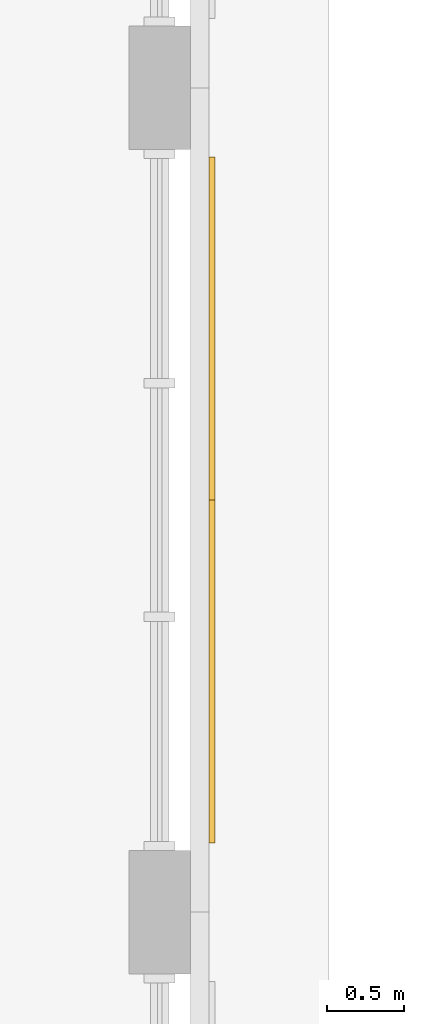
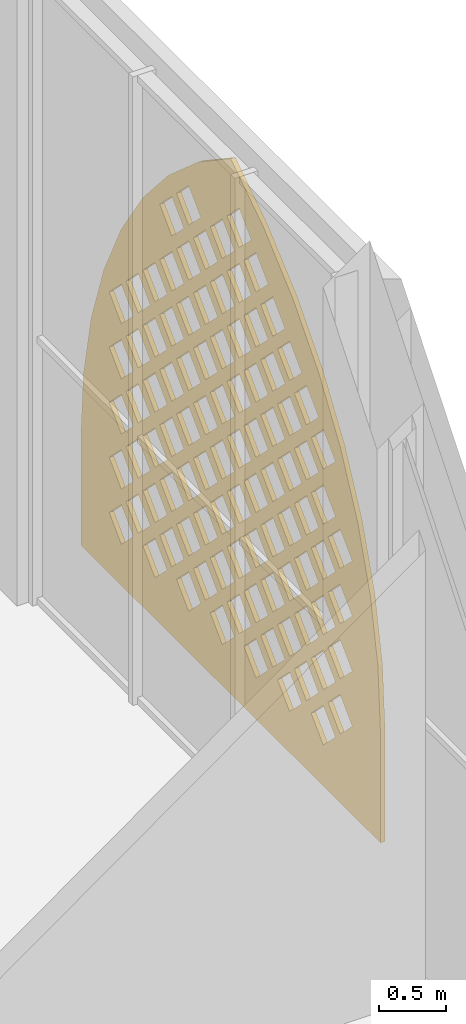
# One storey, part 45 of 74: 1 covering.
"""IFC4 building model written with IfcOpenShell, lengths in metres."""

from ifc_helpers import new_model, si_unit, direction, frame, origin, place, context, subcontext, project, spatial, polyline, outline, extrude, material, layer, layer_set, type_object, element, save


model = new_model("IFC4")

# Units and contexts
model_context = context("Model", 3, precision=1e-05, world=origin(), true_north=direction((0.0, 1.0)))
body_context = subcontext(model_context, "Body", "Model", "MODEL_VIEW")
ifc_project = project(units=[si_unit("LENGTHUNIT", "METRE"), si_unit("AREAUNIT", "SQUARE_METRE"), si_unit("VOLUMEUNIT", "CUBIC_METRE"), si_unit("PLANEANGLEUNIT", "RADIAN"), si_unit("MASSUNIT", "GRAM", prefix="KILO")], contexts=[model_context])

# Site, building, storey
site_placement = place(None, origin())
site = spatial("IfcSite", under=ifc_project, at=site_placement, CompositionType="ELEMENT")
building_placement = place(site_placement, origin())
building = spatial("IfcBuilding", under=site, at=building_placement, Name="Noorbagh Ring Tower", CompositionType="ELEMENT")
storey_placement = place(building_placement, frame((0.0, 0.0, 13.5)))
storey = spatial("IfcBuildingStorey", under=building, at=storey_placement, Name="L02", CompositionType="ELEMENT", Elevation=13.5)

# Covering
ifc_material = material(Name="Red sandstone jali", Category="masonry")
ifc_layer = layer(ifc_material, 0.0400390625)
ifc_layer_set = layer_set([ifc_layer], Name="Red sandstone jali")
covering_type = type_object("IfcCoveringType", Name="STH-JALI", PredefinedType="USERDEFINED", material=ifc_layer_set)
covering_placement = place(storey_placement, frame((-94.840087890625, 20.14990234375, 0.39990234375), z_axis=(1.0, 0.0, 0.0), x_axis=(0.0, 1.0, 0.0)))
element("IfcCovering", 1, at=covering_placement, inside=storey, type_object=covering_type, Name="Jali screen", ObjectType="SCREEN", PredefinedType="USERDEFINED", context=body_context, shape_type="SweptSolid", body=[
    extrude(outline(polyline([(0.0, 0.0), (4.4501953125, 0.0), (4.4501953125, 1.0), (4.412109375, 1.580810546875), (4.298583984375, 2.15185546875), (4.111328125, 2.702880859375), (3.85400390625, 3.22509765625), (3.530517578125, 3.708984375), (3.146728515625, 4.146728515625), (2.708984375, 4.530517578125), (2.22509765625, 4.85400390625), (1.7412109375, 4.530517578125), (1.303466796875, 4.146728515625), (0.919677734375, 3.708984375), (0.59619140625, 3.22509765625), (0.3388671875, 2.702880859375), (0.151611328125, 2.15185546875), (0.0380859375, 1.580810546875), (0.0, 1.0), (0.0, 0.0)]), holes=[polyline([(0.669921875, 0.552001953125), (0.85009765625, 0.371826171875), (1.030029296875, 0.552001953125), (0.85009765625, 0.73193359375), (0.669921875, 0.552001953125)]), polyline([(1.169921875, 0.552001953125), (1.35009765625, 0.371826171875), (1.530029296875, 0.552001953125), (1.35009765625, 0.73193359375), (1.169921875, 0.552001953125)]), polyline([(1.669921875, 0.552001953125), (1.85009765625, 0.371826171875), (2.030029296875, 0.552001953125), (1.85009765625, 0.73193359375), (1.669921875, 0.552001953125)]), polyline([(2.169921875, 0.552001953125), (2.35009765625, 0.371826171875), (2.530029296875, 0.552001953125), (2.35009765625, 0.73193359375), (2.169921875, 0.552001953125)]), polyline([(2.669921875, 0.552001953125), (2.85009765625, 0.371826171875), (3.030029296875, 0.552001953125), (2.85009765625, 0.73193359375), (2.669921875, 0.552001953125)]), polyline([(3.169921875, 0.552001953125), (3.35009765625, 0.371826171875), (3.530029296875, 0.552001953125), (3.35009765625, 0.73193359375), (3.169921875, 0.552001953125)]), polyline([(3.669921875, 0.552001953125), (3.85009765625, 0.371826171875), (4.030029296875, 0.552001953125), (3.85009765625, 0.73193359375), (3.669921875, 0.552001953125)]), polyline([(0.419921875, 0.802001953125), (0.60009765625, 0.621826171875), (0.780029296875, 0.802001953125), (0.60009765625, 0.98193359375), (0.419921875, 0.802001953125)]), polyline([(0.919921875, 0.802001953125), (1.10009765625, 0.621826171875), (1.280029296875, 0.802001953125), (1.10009765625, 0.98193359375), (0.919921875, 0.802001953125)]), polyline([(1.419921875, 0.802001953125), (1.60009765625, 0.621826171875), (1.780029296875, 0.802001953125), (1.60009765625, 0.98193359375), (1.419921875, 0.802001953125)]), polyline([(1.919921875, 0.802001953125), (2.10009765625, 0.621826171875), (2.280029296875, 0.802001953125), (2.10009765625, 0.98193359375), (1.919921875, 0.802001953125)]), polyline([(2.419921875, 0.802001953125), (2.60009765625, 0.621826171875), (2.780029296875, 0.802001953125), (2.60009765625, 0.98193359375), (2.419921875, 0.802001953125)]), polyline([(2.919921875, 0.802001953125), (3.10009765625, 0.621826171875), (3.280029296875, 0.802001953125), (3.10009765625, 0.98193359375), (2.919921875, 0.802001953125)]), polyline([(3.419921875, 0.802001953125), (3.60009765625, 0.621826171875), (3.780029296875, 0.802001953125), (3.60009765625, 0.98193359375), (3.419921875, 0.802001953125)]), polyline([(0.669921875, 1.052001953125), (0.85009765625, 0.871826171875), (1.030029296875, 1.052001953125), (0.85009765625, 1.23193359375), (0.669921875, 1.052001953125)]), polyline([(1.169921875, 1.052001953125), (1.35009765625, 0.871826171875), (1.530029296875, 1.052001953125), (1.35009765625, 1.23193359375), (1.169921875, 1.052001953125)]), polyline([(1.669921875, 1.052001953125), (1.85009765625, 0.871826171875), (2.030029296875, 1.052001953125), (1.85009765625, 1.23193359375), (1.669921875, 1.052001953125)]), polyline([(2.169921875, 1.052001953125), (2.35009765625, 0.871826171875), (2.530029296875, 1.052001953125), (2.35009765625, 1.23193359375), (2.169921875, 1.052001953125)]), polyline([(2.669921875, 1.052001953125), (2.85009765625, 0.871826171875), (3.030029296875, 1.052001953125), (2.85009765625, 1.23193359375), (2.669921875, 1.052001953125)]), polyline([(3.169921875, 1.052001953125), (3.35009765625, 0.871826171875), (3.530029296875, 1.052001953125), (3.35009765625, 1.23193359375), (3.169921875, 1.052001953125)]), polyline([(3.669921875, 1.052001953125), (3.85009765625, 0.871826171875), (4.030029296875, 1.052001953125), (3.85009765625, 1.23193359375), (3.669921875, 1.052001953125)]), polyline([(0.419921875, 1.302001953125), (0.60009765625, 1.121826171875), (0.780029296875, 1.302001953125), (0.60009765625, 1.48193359375), (0.419921875, 1.302001953125)]), polyline([(0.919921875, 1.302001953125), (1.10009765625, 1.121826171875), (1.280029296875, 1.302001953125), (1.10009765625, 1.48193359375), (0.919921875, 1.302001953125)]), polyline([(1.419921875, 1.302001953125), (1.60009765625, 1.121826171875), (1.780029296875, 1.302001953125), (1.60009765625, 1.48193359375), (1.419921875, 1.302001953125)]), polyline([(1.919921875, 1.302001953125), (2.10009765625, 1.121826171875), (2.280029296875, 1.302001953125), (2.10009765625, 1.48193359375), (1.919921875, 1.302001953125)]), polyline([(2.419921875, 1.302001953125), (2.60009765625, 1.121826171875), (2.780029296875, 1.302001953125), (2.60009765625, 1.48193359375), (2.419921875, 1.302001953125)]), polyline([(2.919921875, 1.302001953125), (3.10009765625, 1.121826171875), (3.280029296875, 1.302001953125), (3.10009765625, 1.48193359375), (2.919921875, 1.302001953125)]), polyline([(3.419921875, 1.302001953125), (3.60009765625, 1.121826171875), (3.780029296875, 1.302001953125), (3.60009765625, 1.48193359375), (3.419921875, 1.302001953125)]), polyline([(0.669921875, 1.552001953125), (0.85009765625, 1.371826171875), (1.030029296875, 1.552001953125), (0.85009765625, 1.73193359375), (0.669921875, 1.552001953125)]), polyline([(1.169921875, 1.552001953125), (1.35009765625, 1.371826171875), (1.530029296875, 1.552001953125), (1.35009765625, 1.73193359375), (1.169921875, 1.552001953125)]), polyline([(1.669921875, 1.552001953125), (1.85009765625, 1.371826171875), (2.030029296875, 1.552001953125), (1.85009765625, 1.73193359375), (1.669921875, 1.552001953125)]), polyline([(2.169921875, 1.552001953125), (2.35009765625, 1.371826171875), (2.530029296875, 1.552001953125), (2.35009765625, 1.73193359375), (2.169921875, 1.552001953125)]), polyline([(2.669921875, 1.552001953125), (2.85009765625, 1.371826171875), (3.030029296875, 1.552001953125), (2.85009765625, 1.73193359375), (2.669921875, 1.552001953125)]), polyline([(3.169921875, 1.552001953125), (3.35009765625, 1.371826171875), (3.530029296875, 1.552001953125), (3.35009765625, 1.73193359375), (3.169921875, 1.552001953125)]), polyline([(3.669921875, 1.552001953125), (3.85009765625, 1.371826171875), (4.030029296875, 1.552001953125), (3.85009765625, 1.73193359375), (3.669921875, 1.552001953125)]), polyline([(0.419921875, 1.802001953125), (0.60009765625, 1.621826171875), (0.780029296875, 1.802001953125), (0.60009765625, 1.98193359375), (0.419921875, 1.802001953125)]), polyline([(0.919921875, 1.802001953125), (1.10009765625, 1.621826171875), (1.280029296875, 1.802001953125), (1.10009765625, 1.98193359375), (0.919921875, 1.802001953125)]), polyline([(1.419921875, 1.802001953125), (1.60009765625, 1.621826171875), (1.780029296875, 1.802001953125), (1.60009765625, 1.98193359375), (1.419921875, 1.802001953125)]), polyline([(1.919921875, 1.802001953125), (2.10009765625, 1.621826171875), (2.280029296875, 1.802001953125), (2.10009765625, 1.98193359375), (1.919921875, 1.802001953125)]), polyline([(2.419921875, 1.802001953125), (2.60009765625, 1.621826171875), (2.780029296875, 1.802001953125), (2.60009765625, 1.98193359375), (2.419921875, 1.802001953125)]), polyline([(2.919921875, 1.802001953125), (3.10009765625, 1.621826171875), (3.280029296875, 1.802001953125), (3.10009765625, 1.98193359375), (2.919921875, 1.802001953125)]), polyline([(3.419921875, 1.802001953125), (3.60009765625, 1.621826171875), (3.780029296875, 1.802001953125), (3.60009765625, 1.98193359375), (3.419921875, 1.802001953125)]), polyline([(0.669921875, 2.052001953125), (0.85009765625, 1.871826171875), (1.030029296875, 2.052001953125), (0.85009765625, 2.23193359375), (0.669921875, 2.052001953125)]), polyline([(1.169921875, 2.052001953125), (1.35009765625, 1.871826171875), (1.530029296875, 2.052001953125), (1.35009765625, 2.23193359375), (1.169921875, 2.052001953125)]), polyline([(1.669921875, 2.052001953125), (1.85009765625, 1.871826171875), (2.030029296875, 2.052001953125), (1.85009765625, 2.23193359375), (1.669921875, 2.052001953125)]), polyline([(2.169921875, 2.052001953125), (2.35009765625, 1.871826171875), (2.530029296875, 2.052001953125), (2.35009765625, 2.23193359375), (2.169921875, 2.052001953125)]), polyline([(2.669921875, 2.052001953125), (2.85009765625, 1.871826171875), (3.030029296875, 2.052001953125), (2.85009765625, 2.23193359375), (2.669921875, 2.052001953125)]), polyline([(3.169921875, 2.052001953125), (3.35009765625, 1.871826171875), (3.530029296875, 2.052001953125), (3.35009765625, 2.23193359375), (3.169921875, 2.052001953125)]), polyline([(3.669921875, 2.052001953125), (3.85009765625, 1.871826171875), (4.030029296875, 2.052001953125), (3.85009765625, 2.23193359375), (3.669921875, 2.052001953125)]), polyline([(0.419921875, 2.302001953125), (0.60009765625, 2.121826171875), (0.780029296875, 2.302001953125), (0.60009765625, 2.48193359375), (0.419921875, 2.302001953125)]), polyline([(0.919921875, 2.302001953125), (1.10009765625, 2.121826171875), (1.280029296875, 2.302001953125), (1.10009765625, 2.48193359375), (0.919921875, 2.302001953125)]), polyline([(1.419921875, 2.302001953125), (1.60009765625, 2.121826171875), (1.780029296875, 2.302001953125), (1.60009765625, 2.48193359375), (1.419921875, 2.302001953125)]), polyline([(1.919921875, 2.302001953125), (2.10009765625, 2.121826171875), (2.280029296875, 2.302001953125), (2.10009765625, 2.48193359375), (1.919921875, 2.302001953125)]), polyline([(2.419921875, 2.302001953125), (2.60009765625, 2.121826171875), (2.780029296875, 2.302001953125), (2.60009765625, 2.48193359375), (2.419921875, 2.302001953125)]), polyline([(2.919921875, 2.302001953125), (3.10009765625, 2.121826171875), (3.280029296875, 2.302001953125), (3.10009765625, 2.48193359375), (2.919921875, 2.302001953125)]), polyline([(3.419921875, 2.302001953125), (3.60009765625, 2.121826171875), (3.780029296875, 2.302001953125), (3.60009765625, 2.48193359375), (3.419921875, 2.302001953125)]), polyline([(0.669921875, 2.552001953125), (0.85009765625, 2.371826171875), (1.030029296875, 2.552001953125), (0.85009765625, 2.73193359375), (0.669921875, 2.552001953125)]), polyline([(1.169921875, 2.552001953125), (1.35009765625, 2.371826171875), (1.530029296875, 2.552001953125), (1.35009765625, 2.73193359375), (1.169921875, 2.552001953125)]), polyline([(1.669921875, 2.552001953125), (1.85009765625, 2.371826171875), (2.030029296875, 2.552001953125), (1.85009765625, 2.73193359375), (1.669921875, 2.552001953125)]), polyline([(2.169921875, 2.552001953125), (2.35009765625, 2.371826171875), (2.530029296875, 2.552001953125), (2.35009765625, 2.73193359375), (2.169921875, 2.552001953125)]), polyline([(2.669921875, 2.552001953125), (2.85009765625, 2.371826171875), (3.030029296875, 2.552001953125), (2.85009765625, 2.73193359375), (2.669921875, 2.552001953125)]), polyline([(3.169921875, 2.552001953125), (3.35009765625, 2.371826171875), (3.530029296875, 2.552001953125), (3.35009765625, 2.73193359375), (3.169921875, 2.552001953125)]), polyline([(3.669921875, 2.552001953125), (3.85009765625, 2.371826171875), (4.030029296875, 2.552001953125), (3.85009765625, 2.73193359375), (3.669921875, 2.552001953125)]), polyline([(0.919921875, 2.802001953125), (1.10009765625, 2.621826171875), (1.280029296875, 2.802001953125), (1.10009765625, 2.98193359375), (0.919921875, 2.802001953125)]), polyline([(1.419921875, 2.802001953125), (1.60009765625, 2.621826171875), (1.780029296875, 2.802001953125), (1.60009765625, 2.98193359375), (1.419921875, 2.802001953125)]), polyline([(1.919921875, 2.802001953125), (2.10009765625, 2.621826171875), (2.280029296875, 2.802001953125), (2.10009765625, 2.98193359375), (1.919921875, 2.802001953125)]), polyline([(2.419921875, 2.802001953125), (2.60009765625, 2.621826171875), (2.780029296875, 2.802001953125), (2.60009765625, 2.98193359375), (2.419921875, 2.802001953125)]), polyline([(2.919921875, 2.802001953125), (3.10009765625, 2.621826171875), (3.280029296875, 2.802001953125), (3.10009765625, 2.98193359375), (2.919921875, 2.802001953125)]), polyline([(3.419921875, 2.802001953125), (3.60009765625, 2.621826171875), (3.780029296875, 2.802001953125), (3.60009765625, 2.98193359375), (3.419921875, 2.802001953125)]), polyline([(0.669921875, 3.052001953125), (0.85009765625, 2.871826171875), (1.030029296875, 3.052001953125), (0.85009765625, 3.23193359375), (0.669921875, 3.052001953125)]), polyline([(1.169921875, 3.052001953125), (1.35009765625, 2.871826171875), (1.530029296875, 3.052001953125), (1.35009765625, 3.23193359375), (1.169921875, 3.052001953125)]), polyline([(1.669921875, 3.052001953125), (1.85009765625, 2.871826171875), (2.030029296875, 3.052001953125), (1.85009765625, 3.23193359375), (1.669921875, 3.052001953125)]), polyline([(2.169921875, 3.052001953125), (2.35009765625, 2.871826171875), (2.530029296875, 3.052001953125), (2.35009765625, 3.23193359375), (2.169921875, 3.052001953125)]), polyline([(2.669921875, 3.052001953125), (2.85009765625, 2.871826171875), (3.030029296875, 3.052001953125), (2.85009765625, 3.23193359375), (2.669921875, 3.052001953125)]), polyline([(3.169921875, 3.052001953125), (3.35009765625, 2.871826171875), (3.530029296875, 3.052001953125), (3.35009765625, 3.23193359375), (3.169921875, 3.052001953125)]), polyline([(0.919921875, 3.302001953125), (1.10009765625, 3.121826171875), (1.280029296875, 3.302001953125), (1.10009765625, 3.48193359375), (0.919921875, 3.302001953125)]), polyline([(1.419921875, 3.302001953125), (1.60009765625, 3.121826171875), (1.780029296875, 3.302001953125), (1.60009765625, 3.48193359375), (1.419921875, 3.302001953125)]), polyline([(1.919921875, 3.302001953125), (2.10009765625, 3.121826171875), (2.280029296875, 3.302001953125), (2.10009765625, 3.48193359375), (1.919921875, 3.302001953125)]), polyline([(2.419921875, 3.302001953125), (2.60009765625, 3.121826171875), (2.780029296875, 3.302001953125), (2.60009765625, 3.48193359375), (2.419921875, 3.302001953125)]), polyline([(2.919921875, 3.302001953125), (3.10009765625, 3.121826171875), (3.280029296875, 3.302001953125), (3.10009765625, 3.48193359375), (2.919921875, 3.302001953125)]), polyline([(1.169921875, 3.552001953125), (1.35009765625, 3.371826171875), (1.530029296875, 3.552001953125), (1.35009765625, 3.73193359375), (1.169921875, 3.552001953125)]), polyline([(1.669921875, 3.552001953125), (1.85009765625, 3.371826171875), (2.030029296875, 3.552001953125), (1.85009765625, 3.73193359375), (1.669921875, 3.552001953125)]), polyline([(2.169921875, 3.552001953125), (2.35009765625, 3.371826171875), (2.530029296875, 3.552001953125), (2.35009765625, 3.73193359375), (2.169921875, 3.552001953125)]), polyline([(2.669921875, 3.552001953125), (2.85009765625, 3.371826171875), (3.030029296875, 3.552001953125), (2.85009765625, 3.73193359375), (2.669921875, 3.552001953125)]), polyline([(1.419921875, 3.802001953125), (1.60009765625, 3.621826171875), (1.780029296875, 3.802001953125), (1.60009765625, 3.98193359375), (1.419921875, 3.802001953125)]), polyline([(1.919921875, 3.802001953125), (2.10009765625, 3.621826171875), (2.280029296875, 3.802001953125), (2.10009765625, 3.98193359375), (1.919921875, 3.802001953125)]), polyline([(2.419921875, 3.802001953125), (2.60009765625, 3.621826171875), (2.780029296875, 3.802001953125), (2.60009765625, 3.98193359375), (2.419921875, 3.802001953125)]), polyline([(2.919921875, 3.802001953125), (3.10009765625, 3.621826171875), (3.280029296875, 3.802001953125), (3.10009765625, 3.98193359375), (2.919921875, 3.802001953125)]), polyline([(1.669921875, 4.052001953125), (1.85009765625, 3.871826171875), (2.030029296875, 4.052001953125), (1.85009765625, 4.23193359375), (1.669921875, 4.052001953125)]), polyline([(2.169921875, 4.052001953125), (2.35009765625, 3.871826171875), (2.530029296875, 4.052001953125), (2.35009765625, 4.23193359375), (2.169921875, 4.052001953125)]), polyline([(2.669921875, 4.052001953125), (2.85009765625, 3.871826171875), (3.030029296875, 4.052001953125), (2.85009765625, 4.23193359375), (2.669921875, 4.052001953125)]), polyline([(1.919921875, 4.302001953125), (2.10009765625, 4.121826171875), (2.280029296875, 4.302001953125), (2.10009765625, 4.48193359375), (1.919921875, 4.302001953125)])]), origin(), (0.0, 0.0, -1.0), 0.0400390625),
])

save(model, "model.ifc")
